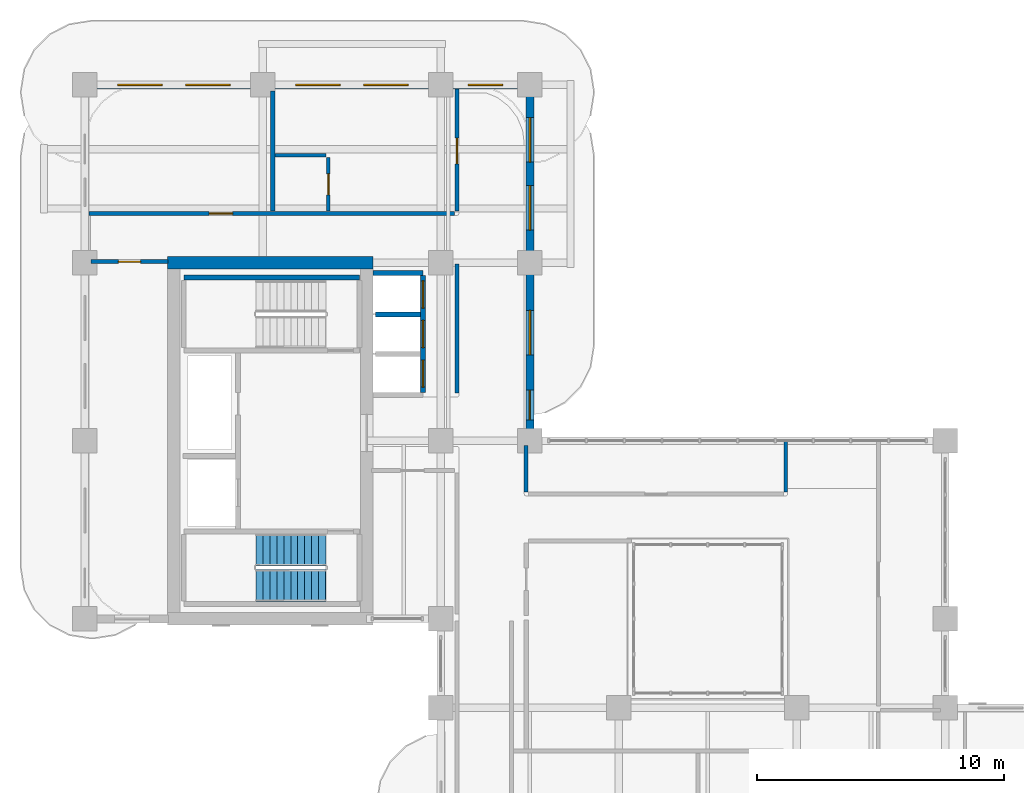
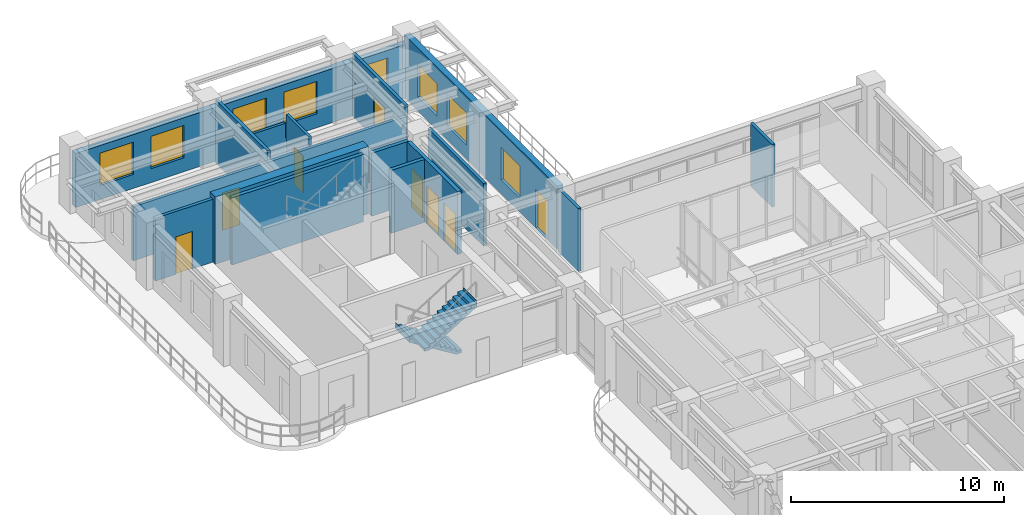
# One storey, part 15 of 20: 16 walls, 8 doors, 8 windows, 2 stair flights, 16 openings, 1 element without a shape of its own.
"""IFC4 building model written with IfcOpenShell, lengths in metres."""

from ifc_helpers import new_model, si_unit, derived_unit, direction, frame, frame_2d, origin, place, context, subcontext, project, spatial, polyline, rectangle, outline, extrude, source, transform, mapped, material, layer, layer_set, type_object, type_shapes, element, fill, aggregate, save


model = new_model("IFC4")

# Units and contexts
model_context = context("Model", 3, precision=1e-05, world=origin(), true_north=direction((0.0, 1.0)))
body_context = subcontext(model_context, "Body", "Model", "MODEL_VIEW")
ifc_project = project(units=[si_unit("LENGTHUNIT", "METRE"), si_unit("AREAUNIT", "SQUARE_METRE"), si_unit("VOLUMEUNIT", "CUBIC_METRE"), si_unit("PLANEANGLEUNIT", "RADIAN"), si_unit("MASSUNIT", "GRAM", prefix="KILO"), si_unit("THERMODYNAMICTEMPERATUREUNIT", "KELVIN"), si_unit("POWERUNIT", "WATT"), derived_unit("THERMALTRANSMITTANCEUNIT", [(si_unit("POWERUNIT", "WATT"), 1), (si_unit("AREAUNIT", "SQUARE_METRE"), -1), (si_unit("THERMODYNAMICTEMPERATUREUNIT", "KELVIN"), -1)])], contexts=[model_context])

# Site, building, storey
site_placement = place(None, origin())
site = spatial("IfcSite", under=ifc_project, at=site_placement, CompositionType="ELEMENT")
building_placement = place(site_placement, origin())
building = spatial("IfcBuilding", under=site, at=building_placement, Name="Zahravan Archway Hotel and Residences", CompositionType="ELEMENT")
storey_placement = place(building_placement, frame((0.0, 0.0, 161.85009765625)))
storey = spatial("IfcBuildingStorey", under=building, at=storey_placement, Name="L40", CompositionType="ELEMENT", Elevation=161.85009765625)

# Wall
ifc_material_1 = material(Name="Concrete C60/75", Category="concrete")
ifc_layer_1 = layer(ifc_material_1, 0.5, Name="Concrete C60/75", Category="concrete")
ifc_layer_set_1 = layer_set([ifc_layer_1], Name="Concrete C60/75")
wall_type_1 = type_object("IfcWallType", Name="CW-CORE-500", PredefinedType="SHEAR", material=ifc_layer_set_1)
wall_1_placement = place(storey_placement, frame((3.35009765625, 39.60009765625, 0.0), z_axis=(0.0, 0.0, 1.0), x_axis=(1.0, 0.0, 0.0)))
element("IfcWall", 1, at=wall_1_placement, inside=storey, type_object=wall_type_1, Name="L40 Core B Shear N Wall 500 mm", PredefinedType="SHEAR", context=body_context, shape_type="SweptSolid", body=[
    extrude(rectangle(XDim=8.2998046875, YDim=0.5, at=frame_2d((4.14990234375, 0.0))), origin(), (0.0, 0.0, 1.0), 3.849853515625),
])

# Wall, openings, windows
ifc_material_2 = material(Name="Agra Buff Sandstone & Insulated Backup", Category="masonry")
ifc_layer_2 = layer(ifc_material_2, 0.320068359375, Name="Agra Buff Sandstone & Insulated Backup", Category="masonry")
ifc_layer_set_2 = layer_set([ifc_layer_2], Name="Agra Buff Sandstone & Insulated Backup")
wall_type_2 = type_object("IfcWallType", Name="EW-SAND-320", PredefinedType="SOLIDWALL", material=ifc_layer_set_2)
wall_2_placement = place(storey_placement, frame((0.0, 46.800048828125, 0.0), z_axis=(0.0, 0.0, 1.0), x_axis=(1.0, 0.0, 0.0)))
wall_2 = element("IfcWall", 2, at=wall_2_placement, inside=storey, type_object=wall_type_2, Name="L40 Exterior Sandstone Wall WB-N", PredefinedType="SOLIDWALL", context=body_context, shape_type="SweptSolid", body=[
    extrude(rectangle(XDim=18.0, YDim=0.320068359375, at=frame_2d((9.0, 0.0))), origin(), (0.0, 0.0, 1.0), 3.0849609375),
])
opening_1_placement = place(wall_2_placement, frame((1.324951171875, 0.0, 0.800048828125)))
opening_1 = element("IfcOpeningElement", 3, at=opening_1_placement, cuts=wall_2, Name="Opening W-02", PredefinedType="OPENING", context=body_context, shape_type="SweptSolid", body=[
    extrude(rectangle(XDim=1.800048828125, YDim=1.85009765625, at=frame_2d((0.89990234375, 0.925048828125))), frame((0.0, 0.169921875, 0.0), z_axis=(0.0, -1.0, 0.0), x_axis=(1.0, 0.0, 0.0)), (0.0, 0.0, 1.0), 0.340087890625),
])
opening_2_placement = place(wall_2_placement, frame((4.074951171875, 0.0, 0.800048828125)))
opening_2 = element("IfcOpeningElement", 4, at=opening_2_placement, cuts=wall_2, Name="Opening W-02", PredefinedType="OPENING", context=body_context, shape_type="SweptSolid", body=[
    extrude(rectangle(XDim=1.800048828125, YDim=1.85009765625, at=frame_2d((0.89990234375, 0.925048828125))), frame((0.0, 0.169921875, 0.0), z_axis=(0.0, -1.0, 0.0), x_axis=(1.0, 0.0, 0.0)), (0.0, 0.0, 1.0), 0.340087890625),
])
opening_3_placement = place(wall_2_placement, frame((8.52490234375, 0.0, 0.800048828125)))
opening_3 = element("IfcOpeningElement", 5, at=opening_3_placement, cuts=wall_2, Name="Opening W-02", PredefinedType="OPENING", context=body_context, shape_type="SweptSolid", body=[
    extrude(rectangle(XDim=1.800048828125, YDim=1.85009765625, at=frame_2d((0.89990234375, 0.925048828125))), frame((0.0, 0.169921875, 0.0), z_axis=(0.0, -1.0, 0.0), x_axis=(1.0, 0.0, 0.0)), (0.0, 0.0, 1.0), 0.340087890625),
])
opening_4_placement = place(wall_2_placement, frame((11.27490234375, 0.0, 0.800048828125)))
opening_4 = element("IfcOpeningElement", 6, at=opening_4_placement, cuts=wall_2, Name="Opening W-02", PredefinedType="OPENING", context=body_context, shape_type="SweptSolid", body=[
    extrude(rectangle(XDim=1.800048828125, YDim=1.85009765625, at=frame_2d((0.89990234375, 0.925048828125))), frame((0.0, 0.169921875, 0.0), z_axis=(0.0, -1.0, 0.0), x_axis=(1.0, 0.0, 0.0)), (0.0, 0.0, 1.0), 0.340087890625),
])
opening_5_placement = place(wall_2_placement, frame((15.5, 0.0, 0.800048828125)))
opening_5 = element("IfcOpeningElement", 7, at=opening_5_placement, cuts=wall_2, Name="Opening W-03", PredefinedType="OPENING", context=body_context, shape_type="SweptSolid", body=[
    extrude(rectangle(XDim=1.39990234375, YDim=1.85009765625, at=frame_2d((0.699951171875, 0.925048828125))), frame((0.0, 0.169921875, 0.0), z_axis=(0.0, -1.0, 0.0), x_axis=(1.0, 0.0, 0.0)), (0.0, 0.0, 1.0), 0.340087890625),
])
ifc_material_3 = material(Name="Bronze-Anodized Thermal-Break Aluminium & Low-E Glass", Category="aluminium")
window_type_1 = type_object("IfcWindowType", Name="WIN-TWR-1400", PartitioningType="SINGLE_PANEL", PredefinedType="WINDOW", material=ifc_material_3)
shared_shape_1 = source(origin(), body_context, "Body", "SweptSolid", [
    extrude(rectangle(XDim=1.39990234375, YDim=1.85009765625, at=frame_2d((0.699951171875, 0.925048828125))), frame((0.0, 0.030029296875, 0.0), z_axis=(0.0, -1.0, 0.0), x_axis=(1.0, 0.0, 0.0)), (0.0, 0.0, 1.0), 0.06005859375),
])
type_shapes(window_type_1, [shared_shape_1])
window_1_placement = place(opening_5_placement, origin())
window_1 = element("IfcWindow", 8, at=window_1_placement, inside=storey, type_object=window_type_1, Name="L40 Loggia Window 30", OverallHeight=1.85009765625, OverallWidth=1.39990234375, PartitioningType="SINGLE_PANEL", PredefinedType="WINDOW", context=body_context, shape_type="MappedRepresentation", body=[
    mapped(shared_shape_1, transform((0.0, 0.0, 0.0), scale=1.0)),
])
fill(opening_5, window_1)
window_type_2 = type_object("IfcWindowType", Name="WIN-TWR-1800", PartitioningType="DOUBLE_PANEL_VERTICAL", PredefinedType="WINDOW", material=ifc_material_3)
shared_shape_2 = source(origin(), body_context, "Body", "SweptSolid", [
    extrude(rectangle(XDim=1.800048828125, YDim=1.85009765625, at=frame_2d((0.89990234375, 0.925048828125))), frame((0.0, 0.030029296875, 0.0), z_axis=(0.0, -1.0, 0.0), x_axis=(1.0, 0.0, 0.0)), (0.0, 0.0, 1.0), 0.06005859375),
])
type_shapes(window_type_2, [shared_shape_2])
window_2_placement = place(opening_1_placement, origin())
window_2 = element("IfcWindow", 9, at=window_2_placement, inside=storey, type_object=window_type_2, Name="L40 Loggia Window 26", OverallHeight=1.85009765625, OverallWidth=1.800048828125, PartitioningType="DOUBLE_PANEL_VERTICAL", PredefinedType="WINDOW", context=body_context, shape_type="MappedRepresentation", body=[
    mapped(shared_shape_2, transform((0.0, 0.0, 0.0), scale=1.0)),
])
fill(opening_1, window_2)
window_3_placement = place(opening_2_placement, origin())
window_3 = element("IfcWindow", 10, at=window_3_placement, inside=storey, type_object=window_type_2, Name="L40 Loggia Window 27", OverallHeight=1.85009765625, OverallWidth=1.800048828125, PartitioningType="DOUBLE_PANEL_VERTICAL", PredefinedType="WINDOW", context=body_context, shape_type="MappedRepresentation", body=[
    mapped(shared_shape_2, transform((0.0, 0.0, 0.0), scale=1.0)),
])
fill(opening_2, window_3)
window_4_placement = place(opening_3_placement, origin())
window_4 = element("IfcWindow", 11, at=window_4_placement, inside=storey, type_object=window_type_2, Name="L40 Loggia Window 28", OverallHeight=1.85009765625, OverallWidth=1.800048828125, PartitioningType="DOUBLE_PANEL_VERTICAL", PredefinedType="WINDOW", context=body_context, shape_type="MappedRepresentation", body=[
    mapped(shared_shape_2, transform((0.0, 0.0, 0.0), scale=1.0)),
])
fill(opening_3, window_4)
window_5_placement = place(opening_4_placement, origin())
window_5 = element("IfcWindow", 12, at=window_5_placement, inside=storey, type_object=window_type_2, Name="L40 Loggia Window 29", OverallHeight=1.85009765625, OverallWidth=1.800048828125, PartitioningType="DOUBLE_PANEL_VERTICAL", PredefinedType="WINDOW", context=body_context, shape_type="MappedRepresentation", body=[
    mapped(shared_shape_2, transform((0.0, 0.0, 0.0), scale=1.0)),
])
fill(opening_4, window_5)

# Wall, openings, door, windows
wall_3_placement = place(storey_placement, frame((18.0, 32.39990234375, 0.0), z_axis=(0.0, 0.0, 1.0), x_axis=(0.0, 1.0, 0.0)))
wall_3 = element("IfcWall", 13, at=wall_3_placement, inside=storey, type_object=wall_type_2, Name="L40 Exterior Sandstone Wall WB-EU", PredefinedType="SOLIDWALL", context=body_context, shape_type="SweptSolid", body=[
    extrude(rectangle(XDim=14.35009765625, YDim=0.320068359375, at=frame_2d((7.175048828125, 0.0))), origin(), (0.0, 0.0, 1.0), 3.599853515625),
])
opening_6_placement = place(wall_3_placement, frame((0.85009765625, 0.0, 0.0)))
opening_6 = element("IfcOpeningElement", 14, at=opening_6_placement, cuts=wall_3, Name="Opening ED-BL1", PredefinedType="OPENING", context=body_context, shape_type="SweptSolid", body=[
    extrude(rectangle(XDim=1.199951171875, YDim=2.199951171875, at=frame_2d((0.60009765625, 1.10009765625))), frame((0.0, 0.169921875, 0.0), z_axis=(0.0, -1.0, 0.0), x_axis=(1.0, 0.0, 0.0)), (0.0, 0.0, 1.0), 0.340087890625),
])
opening_7_placement = place(wall_3_placement, frame((3.47509765625, 0.0, 0.800048828125)))
opening_7 = element("IfcOpeningElement", 15, at=opening_7_placement, cuts=wall_3, Name="Opening W-02", PredefinedType="OPENING", context=body_context, shape_type="SweptSolid", body=[
    extrude(rectangle(XDim=1.800048828125, YDim=1.85009765625, at=frame_2d((0.89990234375, 0.925048828125))), frame((0.0, 0.169921875, 0.0), z_axis=(0.0, -1.0, 0.0), x_axis=(1.0, 0.0, 0.0)), (0.0, 0.0, 1.0), 0.340087890625),
])
opening_8_placement = place(wall_3_placement, frame((8.52490234375, 0.0, 0.800048828125)))
opening_8 = element("IfcOpeningElement", 16, at=opening_8_placement, cuts=wall_3, Name="Opening W-02", PredefinedType="OPENING", context=body_context, shape_type="SweptSolid", body=[
    extrude(rectangle(XDim=1.800048828125, YDim=1.85009765625, at=frame_2d((0.89990234375, 0.925048828125))), frame((0.0, 0.169921875, 0.0), z_axis=(0.0, -1.0, 0.0), x_axis=(1.0, 0.0, 0.0)), (0.0, 0.0, 1.0), 0.340087890625),
])
opening_9_placement = place(wall_3_placement, frame((11.27490234375, 0.0, 0.800048828125)))
opening_9 = element("IfcOpeningElement", 17, at=opening_9_placement, cuts=wall_3, Name="Opening W-02", PredefinedType="OPENING", context=body_context, shape_type="SweptSolid", body=[
    extrude(rectangle(XDim=1.800048828125, YDim=1.85009765625, at=frame_2d((0.89990234375, 0.925048828125))), frame((0.0, 0.169921875, 0.0), z_axis=(0.0, -1.0, 0.0), x_axis=(1.0, 0.0, 0.0)), (0.0, 0.0, 1.0), 0.340087890625),
])
ifc_material_4 = material(Name="Bronze-Anodized Glazed Aluminium", Category="aluminium")
door_type_1 = type_object("IfcDoorType", Name="ED-BALC-1200", OperationType="SLIDING_TO_LEFT", PredefinedType="DOOR", material=ifc_material_4)
shared_shape_3 = source(origin(), body_context, "Body", "SweptSolid", [
    extrude(rectangle(XDim=1.199951171875, YDim=2.199951171875, at=frame_2d((0.60009765625, 1.10009765625))), frame((0.0, 0.02490234375, 0.0), z_axis=(0.0, -1.0, 0.0), x_axis=(1.0, 0.0, 0.0)), (0.0, 0.0, 1.0), 0.050048828125),
])
type_shapes(door_type_1, [shared_shape_3])
door_1_placement = place(opening_6_placement, origin())
door_1 = element("IfcDoor", 18, at=door_1_placement, inside=storey, type_object=door_type_1, Name="L40 Outdoor Access Sliding Door (SLB-BAL-L40-EB)", OperationType="SLIDING_TO_LEFT", OverallHeight=2.199951171875, OverallWidth=1.199951171875, PredefinedType="DOOR", context=body_context, shape_type="MappedRepresentation", body=[
    mapped(shared_shape_3, transform((0.0, 0.0, 0.0), scale=1.0)),
])
fill(opening_6, door_1)
window_6_placement = place(opening_7_placement, origin())
window_6 = element("IfcWindow", 19, at=window_6_placement, inside=storey, type_object=window_type_2, Name="L40 Loggia Window 31", OverallHeight=1.85009765625, OverallWidth=1.800048828125, PartitioningType="DOUBLE_PANEL_VERTICAL", PredefinedType="WINDOW", context=body_context, shape_type="MappedRepresentation", body=[
    mapped(shared_shape_2, transform((0.0, 0.0, 0.0), scale=1.0)),
])
fill(opening_7, window_6)
window_7_placement = place(opening_8_placement, origin())
window_7 = element("IfcWindow", 20, at=window_7_placement, inside=storey, type_object=window_type_2, Name="L40 Loggia Window 32", OverallHeight=1.85009765625, OverallWidth=1.800048828125, PartitioningType="DOUBLE_PANEL_VERTICAL", PredefinedType="WINDOW", context=body_context, shape_type="MappedRepresentation", body=[
    mapped(shared_shape_2, transform((0.0, 0.0, 0.0), scale=1.0)),
])
fill(opening_8, window_7)
window_8_placement = place(opening_9_placement, origin())
window_8 = element("IfcWindow", 21, at=window_8_placement, inside=storey, type_object=window_type_2, Name="L40 Loggia Window 33", OverallHeight=1.85009765625, OverallWidth=1.800048828125, PartitioningType="DOUBLE_PANEL_VERTICAL", PredefinedType="WINDOW", context=body_context, shape_type="MappedRepresentation", body=[
    mapped(shared_shape_2, transform((0.0, 0.0, 0.0), scale=1.0)),
])
fill(opening_9, window_8)

# Wall
ifc_material_5 = material(Name="Fire-Rated Gypsum & Concrete Block", Category="concrete")
ifc_layer_3 = layer(ifc_material_5, 0.159912109375, Name="Fire-Rated Gypsum & Concrete Block", Category="concrete")
ifc_layer_set_3 = layer_set([ifc_layer_3], Name="Fire-Rated Gypsum & Concrete Block")
wall_type_3 = type_object("IfcWallType", Name="PW-CORR-160", PredefinedType="PARTITIONING", material=ifc_layer_set_3)
wall_4_placement = place(storey_placement, frame((15.050048828125, 34.340087890625, 0.0), z_axis=(0.0, 0.0, 1.0), x_axis=(0.0, 1.0, 0.0)))
element("IfcWall", 22, at=wall_4_placement, inside=storey, type_object=wall_type_3, Name="L40 Partition WBN-CL", PredefinedType="PARTITIONING", context=body_context, shape_type="SweptSolid", body=[
    extrude(rectangle(XDim=5.219970703125, YDim=0.159912109375, at=frame_2d((2.60986328125, 0.0))), origin(), (0.0, 0.0, 1.0), 3.599853515625),
])

# Wall, opening, door
wall_5_placement = place(storey_placement, frame((15.050048828125, 41.68994140625, 0.0), z_axis=(0.0, 0.0, 1.0), x_axis=(0.0, 1.0, 0.0)))
wall_5 = element("IfcWall", 23, at=wall_5_placement, inside=storey, type_object=wall_type_3, Name="L40 Partition WBN-CU", PredefinedType="PARTITIONING", context=body_context, shape_type="SweptSolid", body=[
    extrude(rectangle(XDim=4.942138671875, YDim=0.159912109375, at=frame_2d((2.47119140625, 0.0))), origin(), (0.0, 0.0, 1.0), 3.599853515625),
])
opening_10_placement = place(wall_5_placement, frame((1.909912109375, 0.0, 0.0)))
opening_10 = element("IfcOpeningElement", 24, at=opening_10_placement, cuts=wall_5, Name="Opening D-U1", PredefinedType="OPENING", context=body_context, shape_type="SweptSolid", body=[
    extrude(rectangle(XDim=1.050048828125, YDim=2.25, at=frame_2d((0.52490234375, 1.125))), frame((0.0, 0.08984375, 0.0), z_axis=(0.0, -1.0, 0.0), x_axis=(1.0, 0.0, 0.0)), (0.0, 0.0, 1.0), 0.179931640625),
])
ifc_material_6 = material(Name="Hardwood Veneer Timber", Category="wood")
door_type_2 = type_object("IfcDoorType", Name="ID-UNIT-1050", OperationType="NOTDEFINED", PredefinedType="DOOR", material=ifc_material_6)
shared_shape_4 = source(origin(), body_context, "Body", "SweptSolid", [
    extrude(rectangle(XDim=1.050048828125, YDim=2.25, at=frame_2d((0.52490234375, 1.125))), frame((0.0, 0.02490234375, 0.0), z_axis=(0.0, -1.0, 0.0), x_axis=(1.0, 0.0, 0.0)), (0.0, 0.0, 1.0), 0.050048828125),
])
type_shapes(door_type_2, [shared_shape_4])
door_2_placement = place(opening_10_placement, origin())
door_2 = element("IfcDoor", 25, at=door_2_placement, inside=storey, type_object=door_type_2, Name="L40 Hotel Guestroom 78 Entrance Door", OperationType="SINGLE_SWING_LEFT", OverallHeight=2.25, OverallWidth=1.050048828125, PredefinedType="DOOR", context=body_context, shape_type="MappedRepresentation", body=[
    mapped(shared_shape_4, transform((0.0, 0.0, 0.0), scale=1.0)),
])
fill(opening_10, door_2)

wall_6_placement = place(storey_placement, frame((0.16796875, 41.60009765625, 0.0), z_axis=(0.0, 0.0, 1.0), x_axis=(1.0, 0.0, 0.0)))
wall_6 = element("IfcWall", 26, at=wall_6_placement, inside=storey, type_object=wall_type_3, Name="L40 Partition WBN-S2", PredefinedType="PARTITIONING", context=body_context, shape_type="SweptSolid", body=[
    extrude(rectangle(XDim=14.7919921875, YDim=0.159912109375, at=frame_2d((7.39599609375, 0.0))), origin(), (0.0, 0.0, 1.0), 3.0849609375),
])
opening_11_placement = place(wall_6_placement, frame((4.85693359375, 0.0, 0.0)))
opening_11 = element("IfcOpeningElement", 27, at=opening_11_placement, cuts=wall_6, Name="Opening D-I1", PredefinedType="OPENING", context=body_context, shape_type="SweptSolid", body=[
    extrude(rectangle(XDim=0.949951171875, YDim=2.14990234375, at=frame_2d((0.47509765625, 1.074951171875))), frame((0.0, 0.08984375, 0.0), z_axis=(0.0, -1.0, 0.0), x_axis=(1.0, 0.0, 0.0)), (0.0, 0.0, 1.0), 0.179931640625),
])
door_type_3 = type_object("IfcDoorType", Name="ID-INT-950", OperationType="NOTDEFINED", PredefinedType="DOOR", material=ifc_material_6)
shared_shape_5 = source(origin(), body_context, "Body", "SweptSolid", [
    extrude(rectangle(XDim=0.949951171875, YDim=2.14990234375, at=frame_2d((0.47509765625, 1.074951171875))), frame((0.0, 0.02490234375, 0.0), z_axis=(0.0, -1.0, 0.0), x_axis=(1.0, 0.0, 0.0)), (0.0, 0.0, 1.0), 0.050048828125),
])
type_shapes(door_type_3, [shared_shape_5])
door_3_placement = place(opening_11_placement, origin())
door_3 = element("IfcDoor", 28, at=door_3_placement, inside=storey, type_object=door_type_3, Name="L40 North West Study Door", OperationType="SINGLE_SWING_LEFT", OverallHeight=2.14990234375, OverallWidth=0.949951171875, PredefinedType="DOOR", context=body_context, shape_type="MappedRepresentation", body=[
    mapped(shared_shape_5, transform((0.0, 0.0, 0.0), scale=1.0)),
])
fill(opening_11, door_3)

# Walls
wall_7_placement = place(storey_placement, frame((17.85009765625, 30.340087890625, 0.0), z_axis=(0.0, 0.0, 1.0), x_axis=(0.0, 1.0, 0.0)))
element("IfcWall", 29, at=wall_7_placement, inside=storey, type_object=wall_type_3, Name="L40 Partition ATR-NWW2", PredefinedType="PARTITIONING", context=body_context, shape_type="SweptSolid", body=[
    extrude(rectangle(XDim=1.869873046875, YDim=0.159912109375, at=frame_2d((0.93505859375, 0.0))), origin(), (0.0, 0.0, 1.0), 3.599853515625),
])
wall_8_placement = place(storey_placement, frame((28.35009765625, 30.340087890625, 0.0), z_axis=(0.0, 0.0, 1.0), x_axis=(0.0, 1.0, 0.0)))
element("IfcWall", 30, at=wall_8_placement, inside=storey, type_object=wall_type_3, Name="L40 Partition ATR-NWE", PredefinedType="PARTITIONING", context=body_context, shape_type="SweptSolid", body=[
    extrude(rectangle(XDim=2.031982421875, YDim=0.159912109375, at=frame_2d((1.01611328125, 0.0))), origin(), (0.0, 0.0, 1.0), 3.599853515625),
])
ifc_layer_4 = layer(ifc_material_5, 0.199951171875, Name="Fire-Rated Gypsum & Concrete Block", Category="concrete")
ifc_layer_set_4 = layer_set([ifc_layer_4], Name="Fire-Rated Gypsum & Concrete Block")
wall_type_4 = type_object("IfcWallType", Name="PW-SHAFT-200", PredefinedType="PARTITIONING", material=ifc_layer_set_4)
wall_9_placement = place(storey_placement, frame((11.659912109375, 39.18994140625, 0.0), z_axis=(0.0, 0.0, 1.0), x_axis=(1.0, 0.0, 0.0)))
element("IfcWall", 31, at=wall_9_placement, inside=storey, type_object=wall_type_4, Name="L40 Partition B2-N", PredefinedType="PARTITIONING", context=body_context, shape_type="SweptSolid", body=[
    extrude(rectangle(XDim=2.010009765625, YDim=0.199951171875, at=frame_2d((1.0048828125, 0.0))), origin(), (0.0, 0.0, 1.0), 3.599853515625),
])

# Wall, openings, doors
wall_10_placement = place(storey_placement, frame((13.679931640625, 34.360107421875, 0.0), z_axis=(0.0, 0.0, 1.0), x_axis=(0.0, 1.0, 0.0)))
wall_10 = element("IfcWall", 32, at=wall_10_placement, inside=storey, type_object=wall_type_4, Name="L40 Partition B2-E", PredefinedType="PARTITIONING", context=body_context, shape_type="SweptSolid", body=[
    extrude(rectangle(XDim=4.719970703125, YDim=0.199951171875, at=frame_2d((2.35986328125, 0.0))), origin(), (0.0, 0.0, 1.0), 3.599853515625),
])
opening_12_placement = place(wall_10_placement, frame((0.2099609375, 0.0, 0.0)))
opening_12 = element("IfcOpeningElement", 33, at=opening_12_placement, cuts=wall_10, Name="Opening LD", PredefinedType="OPENING", context=body_context, shape_type="SweptSolid", body=[
    extrude(rectangle(XDim=1.10009765625, YDim=2.199951171875, at=frame_2d((0.550048828125, 1.10009765625))), frame((0.0, 0.10986328125, 0.0), z_axis=(0.0, -1.0, 0.0), x_axis=(1.0, 0.0, 0.0)), (0.0, 0.0, 1.0), 0.219970703125),
])
opening_13_placement = place(wall_10_placement, frame((1.81005859375, 0.0, 0.0)))
opening_13 = element("IfcOpeningElement", 34, at=opening_13_placement, cuts=wall_10, Name="Opening LD", PredefinedType="OPENING", context=body_context, shape_type="SweptSolid", body=[
    extrude(rectangle(XDim=1.10009765625, YDim=2.199951171875, at=frame_2d((0.550048828125, 1.10009765625))), frame((0.0, 0.10986328125, 0.0), z_axis=(0.0, -1.0, 0.0), x_axis=(1.0, 0.0, 0.0)), (0.0, 0.0, 1.0), 0.219970703125),
])
opening_14_placement = place(wall_10_placement, frame((3.409912109375, 0.0, 0.0)))
opening_14 = element("IfcOpeningElement", 35, at=opening_14_placement, cuts=wall_10, Name="Opening LD", PredefinedType="OPENING", context=body_context, shape_type="SweptSolid", body=[
    extrude(rectangle(XDim=1.10009765625, YDim=2.199951171875, at=frame_2d((0.550048828125, 1.10009765625))), frame((0.0, 0.10986328125, 0.0), z_axis=(0.0, -1.0, 0.0), x_axis=(1.0, 0.0, 0.0)), (0.0, 0.0, 1.0), 0.219970703125),
])
ifc_material_7 = material(Name="Brushed Stainless Steel", Category="steel")
door_type_4 = type_object("IfcDoorType", Name="DR-LIFT-LD", OperationType="SLIDING_TO_LEFT", PredefinedType="DOOR", material=ifc_material_7)
shared_shape_6 = source(origin(), body_context, "Body", "SweptSolid", [
    extrude(rectangle(XDim=1.10009765625, YDim=2.199951171875, at=frame_2d((0.550048828125, 1.10009765625))), frame((0.0, 0.02490234375, 0.0), z_axis=(0.0, -1.0, 0.0), x_axis=(1.0, 0.0, 0.0)), (0.0, 0.0, 1.0), 0.050048828125),
])
type_shapes(door_type_4, [shared_shape_6])
door_4_placement = place(opening_12_placement, origin())
door_4 = element("IfcDoor", 36, at=door_4_placement, inside=storey, type_object=door_type_4, Name="L40 Lift LP-4 Sliding Landing Door", OperationType="SLIDING_TO_LEFT", OverallHeight=2.199951171875, OverallWidth=1.10009765625, PredefinedType="DOOR", context=body_context, shape_type="MappedRepresentation", body=[
    mapped(shared_shape_6, transform((0.0, 0.0, 0.0), scale=1.0)),
])
fill(opening_12, door_4)
door_5_placement = place(opening_13_placement, origin())
door_5 = element("IfcDoor", 37, at=door_5_placement, inside=storey, type_object=door_type_4, Name="L40 Lift LP-5 Sliding Landing Door", OperationType="SLIDING_TO_LEFT", OverallHeight=2.199951171875, OverallWidth=1.10009765625, PredefinedType="DOOR", context=body_context, shape_type="MappedRepresentation", body=[
    mapped(shared_shape_6, transform((0.0, 0.0, 0.0), scale=1.0)),
])
fill(opening_13, door_5)
door_6_placement = place(opening_14_placement, origin())
door_6 = element("IfcDoor", 38, at=door_6_placement, inside=storey, type_object=door_type_4, Name="L40 Lift LP-6 Sliding Landing Door", OperationType="SLIDING_TO_LEFT", OverallHeight=2.199951171875, OverallWidth=1.10009765625, PredefinedType="DOOR", context=body_context, shape_type="MappedRepresentation", body=[
    mapped(shared_shape_6, transform((0.0, 0.0, 0.0), scale=1.0)),
])
fill(opening_14, door_6)

# Wall
wall_11_placement = place(storey_placement, frame((11.760009765625, 37.52001953125, 0.0), z_axis=(0.0, 0.0, 1.0), x_axis=(1.0, 0.0, 0.0)))
element("IfcWall", 39, at=wall_11_placement, inside=storey, type_object=wall_type_4, Name="L40 Partition B2-D", PredefinedType="PARTITIONING", context=body_context, shape_type="SweptSolid", body=[
    extrude(rectangle(XDim=1.81005859375, YDim=0.199951171875, at=frame_2d((0.905029296875, 0.0))), origin(), (0.0, 0.0, 1.0), 3.599853515625),
])

# Wall, opening, door
ifc_material_8 = material(Name="Acoustic Stud Partition")
ifc_layer_5 = layer(ifc_material_8, 0.169921875, Name="Acoustic Stud Partition")
ifc_layer_set_5 = layer_set([ifc_layer_5], Name="Acoustic Stud Partition")
wall_type_5 = type_object("IfcWallType", Name="PW-UNIT-170", PredefinedType="PARTITIONING", material=ifc_layer_set_5)
wall_12_placement = place(storey_placement, frame((0.239990234375, 39.64990234375, 0.0), z_axis=(0.0, 0.0, 1.0), x_axis=(1.0, 0.0, 0.0)))
wall_12 = element("IfcWall", 40, at=wall_12_placement, inside=storey, type_object=wall_type_5, Name="L40 Partition WBW-N", PredefinedType="PARTITIONING", context=body_context, shape_type="SweptSolid", body=[
    extrude(rectangle(XDim=3.1201171875, YDim=0.169921875, at=frame_2d((1.56005859375, 0.0))), origin(), (0.0, 0.0, 1.0), 3.599853515625),
])
opening_15_placement = place(wall_12_placement, frame((1.110107421875, 0.0, 0.0)))
opening_15 = element("IfcOpeningElement", 41, at=opening_15_placement, cuts=wall_12, Name="Opening D-I2", PredefinedType="OPENING", context=body_context, shape_type="SweptSolid", body=[
    extrude(rectangle(XDim=0.89990234375, YDim=2.14990234375, at=frame_2d((0.449951171875, 1.074951171875))), frame((0.0, 0.094970703125, 0.0), z_axis=(0.0, -1.0, 0.0), x_axis=(1.0, 0.0, 0.0)), (0.0, 0.0, 1.0), 0.18994140625),
])
door_type_5 = type_object("IfcDoorType", Name="ID-INT-900", OperationType="NOTDEFINED", PredefinedType="DOOR", material=ifc_material_6)
shared_shape_7 = source(origin(), body_context, "Body", "SweptSolid", [
    extrude(rectangle(XDim=0.89990234375, YDim=2.14990234375, at=frame_2d((0.449951171875, 1.074951171875))), frame((0.0, 0.02490234375, 0.0), z_axis=(0.0, -1.0, 0.0), x_axis=(1.0, 0.0, 0.0)), (0.0, 0.0, 1.0), 0.050048828125),
])
type_shapes(door_type_5, [shared_shape_7])
door_7_placement = place(opening_15_placement, origin())
door_7 = element("IfcDoor", 42, at=door_7_placement, inside=storey, type_object=door_type_5, Name="L40 West Loggia Salon Door", OperationType="SINGLE_SWING_RIGHT", OverallHeight=2.14990234375, OverallWidth=0.89990234375, PredefinedType="DOOR", context=body_context, shape_type="MappedRepresentation", body=[
    mapped(shared_shape_7, transform((0.0, 0.0, 0.0), scale=1.0)),
])
fill(opening_15, door_7)

# Walls
wall_13_placement = place(storey_placement, frame((7.60009765625, 41.68994140625, 0.0), z_axis=(0.0, 0.0, 1.0), x_axis=(0.0, 1.0, 0.0)))
element("IfcWall", 43, at=wall_13_placement, inside=storey, type_object=wall_type_5, Name="L40 Partition WBN-V2", PredefinedType="PARTITIONING", context=body_context, shape_type="SweptSolid", body=[
    extrude(rectangle(XDim=4.8701171875, YDim=0.169921875, at=frame_2d((2.43505859375, 0.0))), origin(), (0.0, 0.0, 1.0), 3.599853515625),
])
ifc_material_9 = material(Name="Moisture-Resistant Blockwork", Category="masonry")
ifc_layer_6 = layer(ifc_material_9, 0.139892578125, Name="Moisture-Resistant Blockwork", Category="masonry")
ifc_layer_set_6 = layer_set([ifc_layer_6], Name="Moisture-Resistant Blockwork")
wall_type_6 = type_object("IfcWallType", Name="PW-WET-140", PredefinedType="PARTITIONING", material=ifc_layer_set_6)
wall_14_placement = place(storey_placement, frame((7.68994140625, 43.949951171875, 0.0), z_axis=(0.0, 0.0, 1.0), x_axis=(1.0, 0.0, 0.0)))
element("IfcWall", 44, at=wall_14_placement, inside=storey, type_object=wall_type_6, Name="L40 Partition HKB-H78", PredefinedType="PARTITIONING", context=body_context, shape_type="SweptSolid", body=[
    extrude(rectangle(XDim=2.070068359375, YDim=0.139892578125, at=frame_2d((1.03515625, 0.0))), origin(), (0.0, 0.0, 1.0), 3.0849609375),
])

# Wall, opening, door
wall_15_placement = place(storey_placement, frame((9.85009765625, 41.68994140625, 0.0), z_axis=(0.0, 0.0, 1.0), x_axis=(0.0, 1.0, 0.0)))
wall_15 = element("IfcWall", 45, at=wall_15_placement, inside=storey, type_object=wall_type_6, Name="L40 Partition HKB-V78", PredefinedType="PARTITIONING", context=body_context, shape_type="SweptSolid", body=[
    extrude(rectangle(XDim=2.170166015625, YDim=0.139892578125, at=frame_2d((1.0849609375, 0.0))), origin(), (0.0, 0.0, 1.0), 3.599853515625),
])
opening_16_placement = place(wall_15_placement, frame((0.659912109375, 0.0, 0.0)))
opening_16 = element("IfcOpeningElement", 46, at=opening_16_placement, cuts=wall_15, Name="Opening D-B1", PredefinedType="OPENING", context=body_context, shape_type="SweptSolid", body=[
    extrude(rectangle(XDim=0.85009765625, YDim=2.10009765625, at=frame_2d((0.425048828125, 1.050048828125))), frame((0.0, 0.080078125, 0.0), z_axis=(0.0, -1.0, 0.0), x_axis=(1.0, 0.0, 0.0)), (0.0, 0.0, 1.0), 0.159912109375),
])
door_type_6 = type_object("IfcDoorType", Name="ID-BATH-850", OperationType="NOTDEFINED", PredefinedType="DOOR", material=ifc_material_6)
shared_shape_8 = source(origin(), body_context, "Body", "SweptSolid", [
    extrude(rectangle(XDim=0.85009765625, YDim=2.10009765625, at=frame_2d((0.425048828125, 1.050048828125))), frame((0.0, 0.02490234375, 0.0), z_axis=(0.0, -1.0, 0.0), x_axis=(1.0, 0.0, 0.0)), (0.0, 0.0, 1.0), 0.050048828125),
])
type_shapes(door_type_6, [shared_shape_8])
door_8_placement = place(opening_16_placement, origin())
door_8 = element("IfcDoor", 47, at=door_8_placement, inside=storey, type_object=door_type_6, Name="L40 Guestroom 78 En-Suite Door", OperationType="SINGLE_SWING_RIGHT", OverallHeight=2.10009765625, OverallWidth=0.85009765625, PredefinedType="DOOR", context=body_context, shape_type="MappedRepresentation", body=[
    mapped(shared_shape_8, transform((0.0, 0.0, 0.0), scale=1.0)),
])
fill(opening_16, door_8)

# Wall
ifc_material_10 = material(Name="Concrete C50/60", Category="concrete")
ifc_layer_7 = layer(ifc_material_10, 0.199951171875, Name="Concrete C50/60", Category="concrete")
ifc_layer_set_7 = layer_set([ifc_layer_7], Name="Concrete C50/60")
wall_type_7 = type_object("IfcWallType", Name="SW-STAIR-200", PredefinedType="SHEAR", material=ifc_layer_set_7)
wall_16_placement = place(storey_placement, frame((4.0, 39.0, 0.0), z_axis=(0.0, 0.0, 1.0), x_axis=(1.0, 0.0, 0.0)))
element("IfcWall", 48, at=wall_16_placement, inside=storey, type_object=wall_type_7, Name="L40 Stairwell RC Wall CB-SB2N", PredefinedType="SHEAR", context=body_context, shape_type="SweptSolid", body=[
    extrude(rectangle(XDim=7.10009765625, YDim=0.199951171875, at=frame_2d((3.550048828125, 0.0))), origin(), (0.0, 0.0, 1.0), 3.849853515625),
])

# Stair, stair flights
stair_type = type_object("IfcStairType", Name="STR-CORE-1300", PredefinedType="HALF_TURN_STAIR", material=ifc_material_10)
stair_placement = place(storey_placement, origin())
stair = element("IfcStair", 49, at=stair_placement, inside=storey, type_object=stair_type, Name="L40 Core B Exit Stair 1", PredefinedType="HALF_TURN_STAIR")
ifc_layer_8 = layer(ifc_material_10, 0.199951171875, Name="Concrete C50/60", Category="concrete")
ifc_layer_set_8 = layer_set([ifc_layer_8], Name="Concrete C50/60")
stair_flight_type = type_object("IfcStairFlightType", Name="SFL-CORE-1300", PredefinedType="STRAIGHT", material=ifc_layer_set_8)
shared_shape_9 = source(origin(), body_context, "Body", "SweptSolid", [
    extrude(outline(polyline([(-0.01611328125, 0.0), (-0.01611328125, 0.175048828125), (0.280029296875, 0.175048828125), (0.280029296875, 0.35009765625), (0.56005859375, 0.35009765625), (0.56005859375, 0.52490234375), (0.840087890625, 0.52490234375), (0.840087890625, 0.699951171875), (1.1201171875, 0.699951171875), (1.1201171875, 0.875), (1.39990234375, 0.875), (1.39990234375, 1.050048828125), (1.679931640625, 1.050048828125), (1.679931640625, 1.22509765625), (1.9599609375, 1.22509765625), (1.9599609375, 1.39990234375), (2.239990234375, 1.39990234375), (2.239990234375, 1.574951171875), (2.52001953125, 1.574951171875), (2.52001953125, 1.75), (2.800048828125, 1.75), (2.800048828125, 1.925048828125), (2.816162109375, 1.925048828125), (2.816162109375, 1.5732421875), (0.28271484375, 0.0), (-0.01611328125, 0.0)])), frame((0.0, 0.64990234375, 0.0), z_axis=(0.0, -1.0, 0.0), x_axis=(1.0, 0.0, 0.0)), (0.0, 0.0, 1.0), 1.300048828125),
])
stair_flight_1_placement = place(storey_placement, frame((9.72998046875, 27.989990234375, 0.0), z_axis=(0.0, 0.0, 1.0), x_axis=(-1.0, 0.0, 0.0)))
stair_flight_1 = element("IfcStairFlight", 50, at=stair_flight_1_placement, type_object=stair_flight_type, Name="ST-B1 flight 1", NumberOfRisers=11, NumberOfTreads=10, PredefinedType="STRAIGHT", RiserHeight=0.175, TreadLength=0.28, context=body_context, shape_type="MappedRepresentation", body=[
    mapped(shared_shape_9, transform((0.0, 0.0, 0.0), scale=1.0)),
])
stair_flight_2_placement = place(storey_placement, frame((6.929931640625, 26.550048828125, 1.9248046875), z_axis=(0.0, 0.0, 1.0), x_axis=(1.0, 0.0, 0.0)))
stair_flight_2 = element("IfcStairFlight", 51, at=stair_flight_2_placement, type_object=stair_flight_type, Name="ST-B1 flight 2", NumberOfRisers=11, NumberOfTreads=10, PredefinedType="STRAIGHT", RiserHeight=0.175, TreadLength=0.28, context=body_context, shape_type="MappedRepresentation", body=[
    mapped(shared_shape_9, transform((0.0, 0.0, 0.0), scale=1.0)),
])
aggregate(stair, [stair_flight_1, stair_flight_2])

save(model, "model.ifc")
